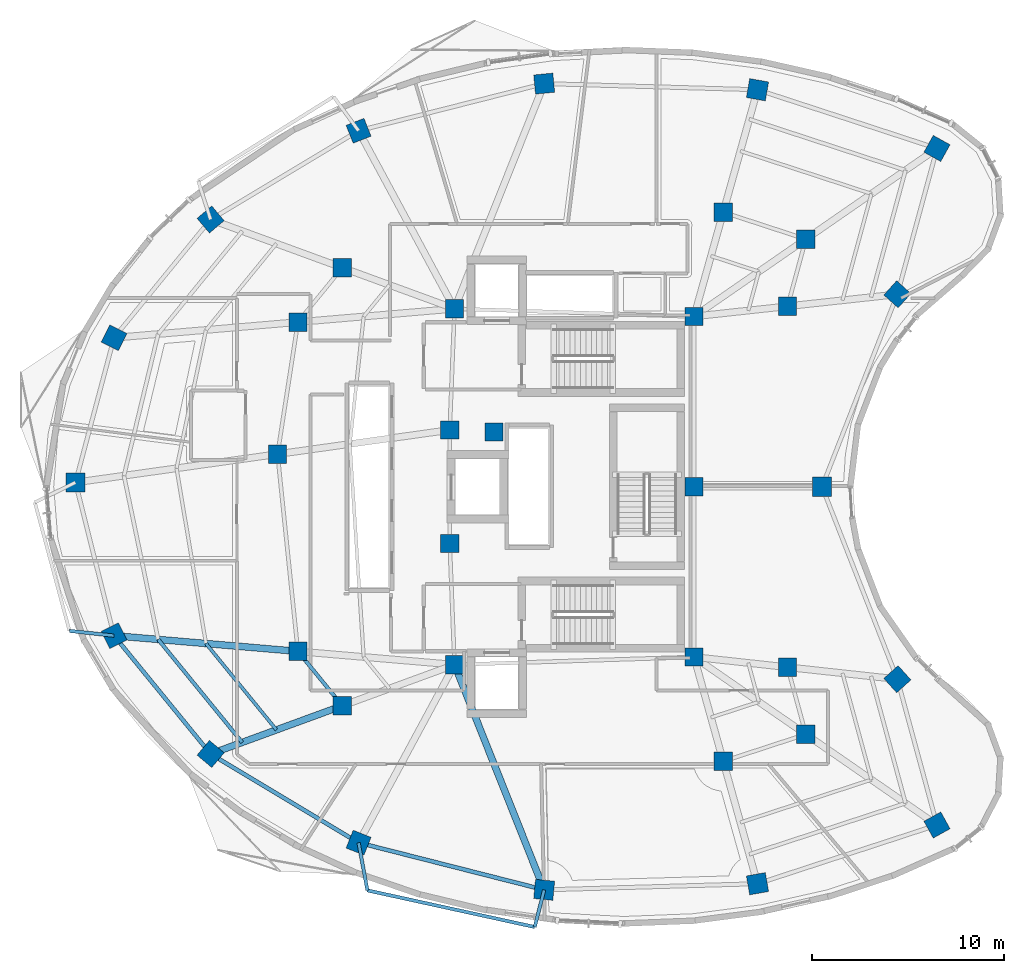
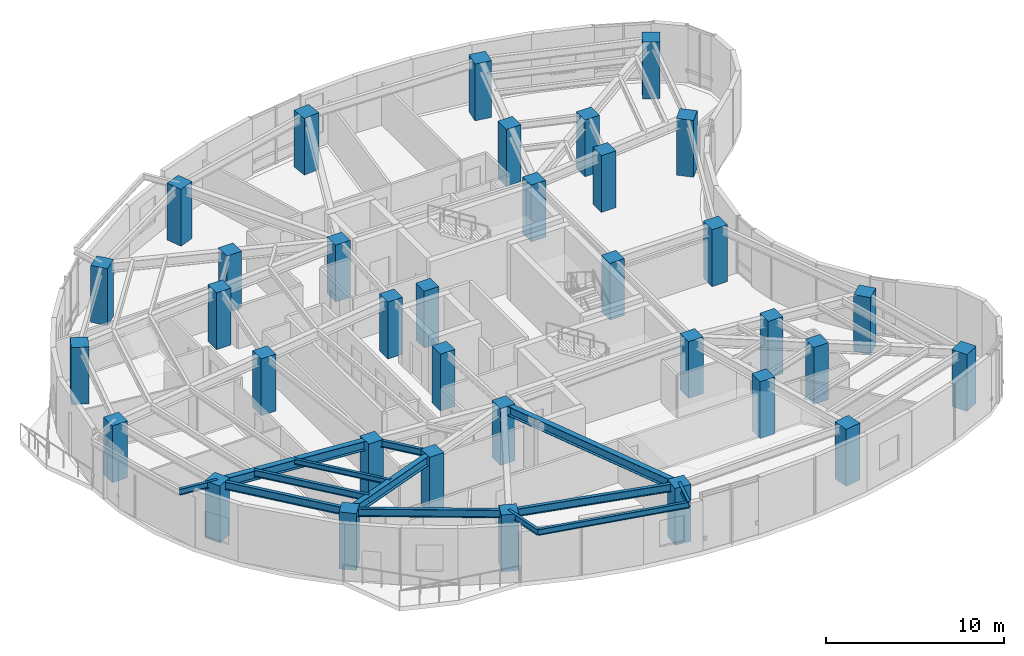
# One storey, part 1 of 15: 35 columns, 13 beams.
"""IFC4 building model written with IfcOpenShell, lengths in metres."""

import ifcopenshell
import ifcopenshell.guid

model = None  # the IFC model being written
_history = None  # IfcOwnerHistory: only IFC2X3 demands one
_inside = {}  # id of a spatial element -> (the spatial element, [elements in it])
_under = {}  # id of a project, library or spatial element -> (it, [spatial elements below it])
_declared = {}  # id of a project -> (the project, [libraries it declares])
_typed = {}  # id of a type object -> (the type object, [elements of that type])
_made_of = {}  # id of a material, layer set ... -> (it, [elements and type objects made of it])


def new_model(schema):
    """Start an empty IFC model of exactly this schema.

    Asked for "IFC4X3", IfcOpenShell would pick the latest addendum, in which some entities
    have other attributes; the version numbers below select the first issue.
    IFC2X3 requires an IfcOwnerHistory on every rooted entity: one is made here for all.
    """
    global model, _history
    if schema == "IFC4X3":
        model = ifcopenshell.file(schema_version=(4, 3, 0, 0))
    else:
        model = ifcopenshell.file(schema=schema)
    _inside.clear()
    _under.clear()
    _declared.clear()
    _typed.clear()
    _made_of.clear()
    _history = None
    if model.schema == "IFC2X3":
        org = make("IfcOrganization", Name="unknown")
        user = make(
            "IfcPersonAndOrganization",
            ThePerson=make("IfcPerson", FamilyName="unknown"),
            TheOrganization=org,
        )
        app = make(
            "IfcApplication",
            ApplicationDeveloper=org,
            Version="unknown",
            ApplicationFullName="unknown",
            ApplicationIdentifier="unknown",
        )
        _history = make(
            "IfcOwnerHistory",
            OwningUser=user,
            OwningApplication=app,
            ChangeAction="ADDED",
            CreationDate=0,
        )
    return model


def make(cls, **values):
    """One entity of the class cls with the attributes given. An attribute that is None is left unset."""
    return model.create_entity(
        cls, **{name: value for name, value in values.items() if value is not None}
    )


def rooted(cls, **values):
    """An entity with a GlobalId (a new one), such as an element, a storey or a relation."""
    return make(cls, GlobalId=ifcopenshell.guid.new(), OwnerHistory=_history, **values)


def si_unit(unit_type, name, prefix=None):
    """IfcSIUnit, for example si_unit("LENGTHUNIT", "METRE", prefix="MILLI")."""
    return make("IfcSIUnit", UnitType=unit_type, Prefix=prefix, Name=name)


def assignment(units):
    """IfcUnitAssignment: the units of a project."""
    return None if units is None else make("IfcUnitAssignment", Units=units)


def point(xyz):
    """IfcCartesianPoint."""
    return None if xyz is None else make("IfcCartesianPoint", Coordinates=xyz)


def direction(xyz):
    """IfcDirection."""
    return None if xyz is None else make("IfcDirection", DirectionRatios=xyz)


def frame(location, z_axis=None, x_axis=None):
    """IfcAxis2Placement3D, a coordinate frame: its origin and axes. An axis left out is left unset."""
    return make(
        "IfcAxis2Placement3D",
        Location=point(location),
        Axis=direction(z_axis),
        RefDirection=direction(x_axis),
    )


def frame_2d(location, x_axis=None):
    """IfcAxis2Placement2D, a coordinate frame in the plane: its origin and x axis."""
    return make(
        "IfcAxis2Placement2D", Location=point(location), RefDirection=direction(x_axis)
    )


def origin():
    """The frame at (0, 0, 0) with its axes left unset."""
    return frame((0.0, 0.0, 0.0))


def origin_2d():
    """The frame at (0, 0) in the plane with its x axis left unset."""
    return frame_2d((0.0, 0.0))


def place(relative_to, where):
    """IfcLocalPlacement: puts the frame where relative to a parent placement (None: the world)."""
    return make(
        "IfcLocalPlacement", PlacementRelTo=relative_to, RelativePlacement=where
    )


def context(
    kind, dimensions, precision=None, world=None, true_north=None, identifier=None
):
    """IfcGeometricRepresentationContext, for example the 3D "Model" context."""
    return make(
        "IfcGeometricRepresentationContext",
        ContextIdentifier=identifier,
        ContextType=kind,
        CoordinateSpaceDimension=dimensions,
        Precision=precision,
        WorldCoordinateSystem=world,
        TrueNorth=true_north,
    )


def subcontext(parent, identifier, kind, view, scale=None):
    """IfcGeometricRepresentationSubContext, for example "Body" below "Model"."""
    return make(
        "IfcGeometricRepresentationSubContext",
        ContextIdentifier=identifier,
        ContextType=kind,
        ParentContext=parent,
        TargetScale=scale,
        TargetView=view,
    )


def project(units=None, contexts=None):
    """IfcProject with its units and contexts."""
    return rooted(
        "IfcProject",
        Name="project",
        RepresentationContexts=contexts,
        UnitsInContext=assignment(units),
    )


def spatial(cls, under=None, at=None, **own):
    """A site, building, storey or space (cls), placed at a placement, below another one or the project."""
    s = rooted(cls, ObjectPlacement=at, **own)
    if under is not None:
        _under.setdefault(under.id(), (under, []))[1].append(s)
    return s


def profile(cls, at=None, kind="AREA", **sizes):
    """A parametric profile (cls). Its sizes go by their IFC names, for example OverallWidth=200.0."""
    return make(cls, ProfileType=kind, Position=at, **sizes)


def rectangle(**sizes):
    """IfcRectangleProfileDef."""
    return profile("IfcRectangleProfileDef", **sizes)


def i_section(**sizes):
    """IfcIShapeProfileDef."""
    return profile("IfcIShapeProfileDef", **sizes)


def extrude(swept, where, along, depth):
    """IfcExtrudedAreaSolid: the profile swept, set in the frame where, extruded along a direction by depth."""
    return make(
        "IfcExtrudedAreaSolid",
        SweptArea=swept,
        Position=where,
        ExtrudedDirection=direction(along),
        Depth=depth,
    )


def shape(context_of_items, identifier, shape_type, items):
    """IfcShapeRepresentation: the items that make up one representation, for example the "Body"."""
    return make(
        "IfcShapeRepresentation",
        ContextOfItems=context_of_items,
        RepresentationIdentifier=identifier,
        RepresentationType=shape_type,
        Items=items,
    )


def material(Name=None, Category=None):
    """IfcMaterial."""
    return make("IfcMaterial", Name=Name, Category=Category)


def material_profile(
    of_material, cross_section, Name=None, Category=None, Priority=None
):
    """IfcMaterialProfile: a cross section and its material."""
    return make(
        "IfcMaterialProfile",
        Name=Name,
        Material=of_material,
        Profile=cross_section,
        Priority=Priority,
        Category=Category,
    )


def profile_set(profiles, Name=None, composite=None):
    """IfcMaterialProfileSet."""
    return make(
        "IfcMaterialProfileSet",
        Name=Name,
        MaterialProfiles=profiles,
        CompositeProfile=composite,
    )


def made_of(thing, what):
    """Note that an element or type object is made of a material, layer set ...; save() writes the relation."""
    if what is not None:
        _made_of.setdefault(what.id(), (what, []))[1].append(thing)
    return thing


def type_object(cls, material=None, **own):
    """A type object (cls), such as IfcWallType, which elements share."""
    return made_of(rooted(cls, **own), material)


def element(
    cls,
    number,
    at=None,
    inside=None,
    cuts=None,
    type_object=None,
    material=None,
    context=None,
    identifier="Body",
    shape_type=None,
    held_by="IfcProductDefinitionShape",
    body=None,
    shapes=None,
    **own,
):
    """One element of the class cls, such as IfcWall. Its Tag is "e" and its number.

    at: its placement. inside: the storey or other place that contains it. cuts: it is an
    opening in that element (IfcRelVoidsElement). A single representation is given by context,
    identifier, shape_type and body (its items); several are given by shapes. held_by: the class
    of the entity that holds the representations. save() writes the other relations.
    """
    e = rooted(cls, Tag="e%d" % number, ObjectPlacement=at, **own)
    if body is not None:
        shapes = [shape(context, identifier, shape_type, body)]
    if shapes is not None:
        e.Representation = make(held_by, Representations=shapes)
    if inside is not None:
        _inside.setdefault(inside.id(), (inside, []))[1].append(e)
    if cuts is not None:
        rooted(
            "IfcRelVoidsElement", RelatingBuildingElement=cuts, RelatedOpeningElement=e
        )
    if type_object is not None:
        _typed.setdefault(type_object.id(), (type_object, []))[1].append(e)
    return made_of(e, material)


def aggregate(whole, parts):
    """IfcRelAggregates: a whole, such as a stair, and the parts it consists of."""
    return rooted("IfcRelAggregates", RelatingObject=whole, RelatedObjects=parts)


def save(model, path):
    """Write the relations noted so far, then the file.

    IfcRelAggregates (storeys below a building ...), IfcRelContainedInSpatialStructure (elements
    in a storey), IfcRelDefinesByType, IfcRelAssociatesMaterial and IfcRelDeclares: one each for
    every whole, place, type object, material and project.
    """
    for whole, parts in _under.values():
        aggregate(whole, parts)
    for where, things in _inside.values():
        rooted(
            "IfcRelContainedInSpatialStructure",
            RelatedElements=things,
            RelatingStructure=where,
        )
    for kind, things in _typed.values():
        rooted("IfcRelDefinesByType", RelatedObjects=things, RelatingType=kind)
    for what, things in _made_of.values():
        rooted("IfcRelAssociatesMaterial", RelatedObjects=things, RelatingMaterial=what)
    for by, libraries in _declared.values():
        rooted("IfcRelDeclares", RelatingContext=by, RelatedDefinitions=libraries)
    model.write(path)


model = new_model("IFC4")

# Units and contexts
model_context = context("Model", 3, precision=1e-05, world=origin(), true_north=direction((0.0, 1.0)))
body_context = subcontext(model_context, "Body", "Model", "MODEL_VIEW")
ifc_project = project(units=[si_unit("LENGTHUNIT", "METRE"), si_unit("AREAUNIT", "SQUARE_METRE"), si_unit("VOLUMEUNIT", "CUBIC_METRE"), si_unit("PLANEANGLEUNIT", "RADIAN"), si_unit("MASSUNIT", "GRAM", prefix="KILO")], contexts=[model_context])

# Site, building, storey
site_placement = place(None, origin())
site = spatial("IfcSite", under=ifc_project, at=site_placement, CompositionType="ELEMENT")
building_placement = place(site_placement, origin())
building = spatial("IfcBuilding", under=site, at=building_placement, Name="Korentha Bioscience Tower", CompositionType="ELEMENT")
storey_placement = place(building_placement, frame((0.0, 0.0, 222.60009765625)))
storey = spatial("IfcBuildingStorey", under=building, at=storey_placement, Name="L51", CompositionType="ELEMENT", Elevation=222.60009765625)

# Columns
ifc_material_1 = material(Name="Concrete C65", Category="concrete")
ifc_material_profile_1 = material_profile(ifc_material_1, rectangle(XDim=0.949951171875, YDim=0.949951171875, at=origin_2d()), Name="Concrete C65")
ifc_profile_set_1 = profile_set([ifc_material_profile_1], Name="Concrete C65 (COL-CP09)")
column_type_1 = type_object("IfcColumnType", Name="Core Pilaster Column RC 950x950", PredefinedType="PILASTER", material=ifc_profile_set_1)
for number, where, z_axis, x_axis, name in (
    (1, (37.550048828125, 35.85009765625, -0.00048828125), (0.0, 0.0, 1.0), (1.0, 0.0, 0.0), "L51 Core Pilaster CP-01"),
    (2, (25.10009765625, 36.25, -0.00048828125), (0.0, 0.0, 1.0), (1.0, 0.0, 0.0), "L51 Core Pilaster CP-02"),
    (3, (24.85009765625, 29.949951171875, -0.00048828125), (0.0, 0.0, 1.0), (1.0, 0.0, 0.0), "L51 Core Pilaster CP-03"),
    (4, (27.14990234375, 29.85009765625, -0.00048828125), (0.0, 0.0, 1.0), (1.0, 0.0, 0.0), "L51 Core Pilaster CP-04"),
    (5, (24.85009765625, 24.050048828125, -0.00048828125), (0.0, 0.0, 1.0), (1.0, 0.0, 0.0), "L51 Core Pilaster CP-05"),
    (6, (25.10009765625, 17.75, -0.00048828125), (0.0, 0.0, 1.0), (1.0, 0.0, 0.0), "L51 Core Pilaster CP-06"),
    (7, (37.550048828125, 18.14990234375, -0.00048828125), (0.0, 0.0, 1.0), (1.0, 0.0, 0.0), "L51 Core Pilaster CP-07"),
    (8, (37.550048828125, 27.0, -0.00048828125), (0.0, 0.0, 1.0), (1.0, 0.0, 0.0), "L51 Core Pilaster CP-08"),
):
    element("IfcColumn", number, at=place(storey_placement, frame(where, z_axis=z_axis, x_axis=x_axis)), inside=storey, type_object=column_type_1, Name=name, PredefinedType="PILASTER", context=body_context, shape_type="SweptSolid", body=[
        extrude(rectangle(XDim=0.949951171875, YDim=0.949951171875, at=origin_2d()), origin(), (0.0, 0.0, 1.0), 3.90087890625),
    ])
ifc_material_profile_2 = material_profile(ifc_material_1, rectangle(XDim=0.949951171875, YDim=0.949951171875, at=origin_2d()), Name="Concrete C65")
ifc_profile_set_2 = profile_set([ifc_material_profile_2], Name="Concrete C65 (COL-MR09)")
column_type_2 = type_object("IfcColumnType", Name="Mid-Ring Lab Column RC 950x950", PredefinedType="COLUMN", material=ifc_profile_set_2)
for number, where, z_axis, x_axis, name in (
    (9, (43.357666015625, 39.8662109375, -0.00048828125), (0.0, 0.0, 1.0), (1.0, 0.0, 0.0), "L51 Mid-Ring Column 01"),
    (10, (39.066650390625, 41.269775390625, -0.00048828125), (0.0, 0.0, 1.0), (1.0, 0.0, 0.0), "L51 Mid-Ring Column 02"),
    (11, (19.268310546875, 38.3837890625, -0.00048828125), (0.0, 0.0, 1.0), (1.0, 0.0, 0.0), "L51 Mid-Ring Column 05"),
    (12, (16.96044921875, 35.555908203125, -0.00048828125), (0.0, 0.0, 1.0), (1.0, 0.0, 0.0), "L51 Mid-Ring Column 06"),
    (13, (15.903076171875, 28.69482421875, -0.00048828125), (0.0, 0.0, 1.0), (1.0, 0.0, 0.0), "L51 Mid-Ring Column 07"),
    (14, (16.96044921875, 18.444091796875, -0.00048828125), (0.0, 0.0, 1.0), (1.0, 0.0, 0.0), "L51 Mid-Ring Column 08"),
    (15, (19.268310546875, 15.6162109375, -0.00048828125), (0.0, 0.0, 1.0), (1.0, 0.0, 0.0), "L51 Mid-Ring Column 09"),
    (16, (39.066650390625, 12.730224609375, -0.00048828125), (0.0, 0.0, 1.0), (1.0, 0.0, 0.0), "L51 Mid-Ring Column 12"),
    (17, (43.357666015625, 14.1337890625, -0.00048828125), (0.0, 0.0, 1.0), (1.0, 0.0, 0.0), "L51 Mid-Ring Column 13"),
    (18, (42.41064453125, 17.620361328125, -0.00048828125), (0.0, 0.0, 1.0), (1.0, 0.0, 0.0), "L51 Mid-Ring Column 14"),
    (19, (42.41064453125, 36.379638671875, -0.00048828125), (0.0, 0.0, 1.0), (1.0, 0.0, 0.0), "L51 Mid-Ring Column 16"),
):
    element("IfcColumn", number, at=place(storey_placement, frame(where, z_axis=z_axis, x_axis=x_axis)), inside=storey, type_object=column_type_2, Name=name, PredefinedType="COLUMN", context=body_context, shape_type="SweptSolid", body=[
        extrude(rectangle(XDim=0.949951171875, YDim=0.949951171875, at=origin_2d()), origin(), (0.0, 0.0, 1.0), 3.90087890625),
    ])
ifc_material_profile_3 = material_profile(ifc_material_1, rectangle(XDim=1.0, YDim=1.0, at=origin_2d()), Name="Concrete C65")
ifc_profile_set_3 = profile_set([ifc_material_profile_3], Name="Concrete C65 (COL-P10)")
column_type_3 = type_object("IfcColumnType", Name="Perimeter Column RC 1000x1000", PredefinedType="COLUMN", material=ifc_profile_set_3)
for number, where, z_axis, x_axis, name in (
    (20, (50.175537109375, 44.580810546875, -0.00048828125), (0.0, 0.0, 1.0), (-0.874535078577, 0.484962262797, 0.0), "L51 Perimeter Column 01"),
    (21, (40.846923828125, 47.632080078125, -0.00048828125), (0.0, 0.0, 1.0), (-0.984868307662, 0.173304404339, 0.0), "L51 Perimeter Column 02"),
    (22, (29.75927734375, 47.951171875, -0.00048828125), (0.0, 0.0, 1.0), (0.995462868748, 0.095150811579, 0.0), "L51 Perimeter Column 03"),
    (23, (20.11328125, 45.5, -0.00048828125), (0.0, 0.0, 1.0), (0.930225540858, 0.366988341962, 0.0), "L51 Perimeter Column 04"),
    (24, (12.422607421875, 40.888671875, -0.00048828125), (0.0, 0.0, 1.0), (0.764246456939, 0.644924300253, 0.0), "L51 Perimeter Column 05"),
    (25, (7.4052734375, 34.741455078125, -0.00048828125), (0.0, 0.0, 1.0), (0.453057191132, 0.891481453292, 0.0), "L51 Perimeter Column 06"),
    (26, (5.39990234375, 27.2216796875, -0.00048828125), (0.0, 0.0, 1.0), (0.0, 1.0, 0.0), "L51 Perimeter Column 07"),
    (27, (7.4052734375, 19.258544921875, -0.00048828125), (0.0, 0.0, 1.0), (-0.453057191132, 0.891481453292, 0.0), "L51 Perimeter Column 08"),
    (28, (12.422607421875, 13.111328125, -0.00048828125), (0.0, 0.0, 1.0), (-0.764246456939, 0.644924300253, 0.0), "L51 Perimeter Column 09"),
    (29, (20.11328125, 8.5, -0.00048828125), (0.0, 0.0, 1.0), (-0.930225540858, 0.366988341962, 0.0), "L51 Perimeter Column 10"),
    (30, (29.75927734375, 6.048828125, -0.00048828125), (0.0, 0.0, 1.0), (-0.995462868748, 0.095150811579, 0.0), "L51 Perimeter Column 11"),
    (31, (40.846923828125, 6.367919921875, -0.00048828125), (0.0, 0.0, 1.0), (0.984868307662, 0.173304404339, 0.0), "L51 Perimeter Column 12"),
    (32, (50.175537109375, 9.419189453125, -0.00048828125), (0.0, 0.0, 1.0), (0.874535078577, 0.484962262797, 0.0), "L51 Perimeter Column 13"),
    (33, (48.116455078125, 16.998779296875, -0.00048828125), (0.0, 0.0, 1.0), (-0.669130606359, 0.743144825477, 0.0), "L51 Perimeter Column 14"),
    (34, (44.201904296875, 27.0, -0.00048828125), (0.0, 0.0, 1.0), (0.0, 1.0, 0.0), "L51 Perimeter Column 15"),
    (35, (48.116455078125, 37.001220703125, -0.00048828125), (0.0, 0.0, 1.0), (0.669130606359, 0.743144825477, 0.0), "L51 Perimeter Column 16"),
):
    element("IfcColumn", number, at=place(storey_placement, frame(where, z_axis=z_axis, x_axis=x_axis)), inside=storey, type_object=column_type_3, Name=name, PredefinedType="COLUMN", context=body_context, shape_type="SweptSolid", body=[
        extrude(rectangle(XDim=1.0, YDim=1.0, at=origin_2d()), origin(), (0.0, 0.0, 1.0), 3.90087890625),
    ])

# Beams
ifc_material_2 = material(Name="Steel S355", Category="steel")
ifc_material_profile_4 = material_profile(ifc_material_2, i_section(OverallWidth=0.18994140625, OverallDepth=0.45703125, WebThickness=0.009033203125, FlangeThickness=0.014404296875, at=origin_2d()), Name="Steel S355")
ifc_profile_set_4 = profile_set([ifc_material_profile_4], Name="Steel S355 (MB-460)")
beam_type_1 = type_object("IfcBeamType", Name="Mid-Ring Tie Girder W460x74", PredefinedType="BEAM", material=ifc_profile_set_4)
beam_1_placement = place(storey_placement, frame((16.96044921875, 18.444091796875, 3.67138671875), z_axis=(0.632275728894, -0.774743443116, 0.0), x_axis=(0.774743443116, 0.632275728894, 0.0)))
element("IfcBeam", 36, at=beam_1_placement, inside=storey, type_object=beam_type_1, Name="L51 Mid-Ring Tie Girder 08", PredefinedType="BEAM", context=body_context, shape_type="SweptSolid", body=[
    extrude(i_section(OverallWidth=0.18994140625, OverallDepth=0.45703125, WebThickness=0.009033203125, FlangeThickness=0.014404296875, at=origin_2d()), origin(), (0.0, 0.0, 1.0), 3.650146484375),
])
ifc_material_profile_5 = material_profile(ifc_material_2, i_section(OverallWidth=0.208984375, OverallDepth=0.532958984375, WebThickness=0.01025390625, FlangeThickness=0.015625, at=origin_2d()), Name="Steel S355")
ifc_profile_set_5 = profile_set([ifc_material_profile_5], Name="Steel S355 (SB-530)")
beam_type_2 = type_object("IfcBeamType", Name="Perimeter Ring Spandrel Girder W530x92", PredefinedType="SPANDREL", material=ifc_profile_set_5)
beam_2_placement = place(storey_placement, frame((7.4052734375, 19.258544921875, 3.63330078125), z_axis=(0.632315820697, -0.774710722074, 0.0), x_axis=(0.774710722074, 0.632315820697, 0.0)))
element("IfcBeam", 37, at=beam_2_placement, inside=storey, type_object=beam_type_2, Name="L51 Perimeter Spandrel Girder 08", PredefinedType="SPANDREL", context=body_context, shape_type="SweptSolid", body=[
    extrude(i_section(OverallWidth=0.208984375, OverallDepth=0.532958984375, WebThickness=0.01025390625, FlangeThickness=0.015625, at=origin_2d()), origin(), (0.0, 0.0, 1.0), 7.934814453125),
])
beam_3_placement = place(storey_placement, frame((12.422607421875, 13.111328125, 3.63330078125), z_axis=(0.857644232791, -0.514243492872, 0.0), x_axis=(0.514243492872, 0.857644232791, 0.0)))
element("IfcBeam", 38, at=beam_3_placement, inside=storey, type_object=beam_type_2, Name="L51 Perimeter Spandrel Girder 09", PredefinedType="SPANDREL", context=body_context, shape_type="SweptSolid", body=[
    extrude(i_section(OverallWidth=0.208984375, OverallDepth=0.532958984375, WebThickness=0.01025390625, FlangeThickness=0.015625, at=origin_2d()), origin(), (0.0, 0.0, 1.0), 8.96728515625),
])
beam_4_placement = place(storey_placement, frame((20.11328125, 8.5, 3.63330078125), z_axis=(0.969197317616, -0.246285524395, 0.0), x_axis=(0.246285524395, 0.969197317616, 0.0)))
element("IfcBeam", 39, at=beam_4_placement, inside=storey, type_object=beam_type_2, Name="L51 Perimeter Spandrel Girder 10", PredefinedType="SPANDREL", context=body_context, shape_type="SweptSolid", body=[
    extrude(i_section(OverallWidth=0.208984375, OverallDepth=0.532958984375, WebThickness=0.01025390625, FlangeThickness=0.015625, at=origin_2d()), origin(), (0.0, 0.0, 1.0), 9.95263671875),
])
ifc_material_profile_6 = material_profile(ifc_material_2, i_section(OverallWidth=0.18994140625, OverallDepth=0.45703125, WebThickness=0.009033203125, FlangeThickness=0.014404296875, at=origin_2d()), Name="Steel S355")
ifc_profile_set_6 = profile_set([ifc_material_profile_6], Name="Steel S355 (RB-460)")
beam_type_3 = type_object("IfcBeamType", Name="Radial Laboratory Beam W460x74", PredefinedType="BEAM", material=ifc_profile_set_6)
beam_5_placement = place(storey_placement, frame((9.698486328125, 19.06298828125, 3.67138671875), z_axis=(0.632321075077, -0.77470643344, 0.0), x_axis=(0.77470643344, 0.632321075077, 0.0)))
element("IfcBeam", 40, at=beam_5_placement, inside=storey, type_object=beam_type_3, Name="L51 Secondary Floor Beam JSTO-08", PredefinedType="BEAM", context=body_context, shape_type="SweptSolid", body=[
    extrude(i_section(OverallWidth=0.18994140625, OverallDepth=0.45703125, WebThickness=0.009033203125, FlangeThickness=0.014404296875, at=origin_2d()), origin(), (0.0, 0.0, 1.0), 6.906494140625),
])
ifc_material_profile_7 = material_profile(ifc_material_2, i_section(OverallWidth=0.35009765625, OverallDepth=0.64990234375, WebThickness=0.01611328125, FlangeThickness=0.02490234375, at=origin_2d()), Name="Steel S355")
ifc_profile_set_7 = profile_set([ifc_material_profile_7], Name="Steel S355 (RB-650)")
beam_type_4 = type_object("IfcBeamType", Name="Radial Laboratory Girder CVS 650x208", PredefinedType="BEAM", material=ifc_profile_set_7)
beam_6_placement = place(storey_placement, frame((16.96044921875, 18.444091796875, 3.574951171875), z_axis=(-0.996387014591, 0.084928894698, 0.0), x_axis=(-0.084928894698, -0.996387014591, 0.0)))
element("IfcBeam", 41, at=beam_6_placement, inside=storey, type_object=beam_type_4, Name="L51 Outer Radial Girder 08", PredefinedType="BEAM", context=body_context, shape_type="SweptSolid", body=[
    extrude(i_section(OverallWidth=0.35009765625, OverallDepth=0.64990234375, WebThickness=0.01611328125, FlangeThickness=0.02490234375, at=origin_2d()), origin(), (0.0, 0.0, 1.0), 9.58984375),
])
beam_7_placement = place(storey_placement, frame((19.268310546875, 15.6162109375, 3.574951171875), z_axis=(-0.939107036581, -0.343624757322, 0.0), x_axis=(0.343624757322, -0.939107036581, 0.0)))
element("IfcBeam", 42, at=beam_7_placement, inside=storey, type_object=beam_type_4, Name="L51 Outer Radial Girder 09", PredefinedType="BEAM", context=body_context, shape_type="SweptSolid", body=[
    extrude(i_section(OverallWidth=0.35009765625, OverallDepth=0.64990234375, WebThickness=0.01611328125, FlangeThickness=0.02490234375, at=origin_2d()), origin(), (0.0, 0.0, 1.0), 7.28955078125),
])
beam_8_placement = place(storey_placement, frame((25.10009765625, 17.75, 3.574951171875), z_axis=(0.369933042289, -0.929058418089, 0.0), x_axis=(0.929058418089, 0.369933042289, 0.0)))
element("IfcBeam", 43, at=beam_8_placement, inside=storey, type_object=beam_type_4, Name="L51 Radial Girder 11", PredefinedType="BEAM", context=body_context, shape_type="SweptSolid", body=[
    extrude(i_section(OverallWidth=0.35009765625, OverallDepth=0.64990234375, WebThickness=0.01611328125, FlangeThickness=0.02490234375, at=origin_2d()), origin(), (0.0, 0.0, 1.0), 12.5947265625),
])
ifc_material_profile_8 = material_profile(ifc_material_2, i_section(OverallWidth=0.1708984375, OverallDepth=0.35498046875, WebThickness=0.007080078125, FlangeThickness=0.01171875, at=origin_2d()), Name="Steel S355")
ifc_profile_set_8 = profile_set([ifc_material_profile_8], Name="Steel S355 (JB-360)")
beam_type_5 = type_object("IfcBeamType", Name="Secondary Laboratory Joist W360x51", PredefinedType="JOIST", material=ifc_profile_set_8)
beam_9_placement = place(storey_placement, frame((12.182861328125, 18.851318359375, 3.722412109375), z_axis=(0.632303189088, -0.774721031771, 0.0), x_axis=(0.774721031771, 0.632303189088, 0.0)))
element("IfcBeam", 44, at=beam_9_placement, inside=storey, type_object=beam_type_5, Name="L51 Secondary Floor Beam JST-08", PredefinedType="JOIST", context=body_context, shape_type="SweptSolid", body=[
    extrude(i_section(OverallWidth=0.1708984375, OverallDepth=0.35498046875, WebThickness=0.007080078125, FlangeThickness=0.01171875, at=origin_2d()), origin(), (0.0, 0.0, 1.0), 5.79248046875),
])
ifc_material_profile_9 = material_profile(ifc_material_2, i_section(OverallWidth=0.177978515625, OverallDepth=0.406982421875, WebThickness=0.0078125, FlangeThickness=0.0126953125, at=origin_2d()), Name="Steel S355")
ifc_profile_set_9 = profile_set([ifc_material_profile_9], Name="Steel S355 (CB-410)")
beam_type_6 = type_object("IfcBeamType", Name="Sun-Ledge Cantilever Beam W410x60", PredefinedType="BEAM", material=ifc_profile_set_9)
beam_10_placement = place(storey_placement, frame((7.4052734375, 19.258544921875, 3.698486328125), z_axis=(-0.994271032169, 0.106888327657, 0.0), x_axis=(-0.106888327657, -0.994271032169, 0.0)))
element("IfcBeam", 45, at=beam_10_placement, inside=storey, type_object=beam_type_6, Name="L51 Balcony Cantilever Bracket B-L52-02", PredefinedType="BEAM", context=body_context, shape_type="SweptSolid", body=[
    extrude(i_section(OverallWidth=0.177978515625, OverallDepth=0.406982421875, WebThickness=0.0078125, FlangeThickness=0.0126953125, at=origin_2d()), origin(), (0.0, 0.0, 1.0), 2.329833984375),
])
beam_11_placement = place(storey_placement, frame((20.11328125, 8.5, 3.698486328125), z_axis=(0.182446425678, -0.983215796129, 0.0), x_axis=(0.983215796129, 0.182446425678, 0.0)))
element("IfcBeam", 46, at=beam_11_placement, inside=storey, type_object=beam_type_6, Name="L51 Balcony Cantilever Bracket A-L52-03", PredefinedType="BEAM", context=body_context, shape_type="SweptSolid", body=[
    extrude(i_section(OverallWidth=0.177978515625, OverallDepth=0.406982421875, WebThickness=0.0078125, FlangeThickness=0.0126953125, at=origin_2d()), origin(), (0.0, 0.0, 1.0), 2.52099609375),
])
beam_12_placement = place(storey_placement, frame((29.75927734375, 6.048828125, 3.698486328125), z_axis=(-0.246080750439, -0.969249330288, 0.0), x_axis=(0.969249330288, -0.246080750439, 0.0)))
element("IfcBeam", 47, at=beam_12_placement, inside=storey, type_object=beam_type_6, Name="L51 Balcony Cantilever Bracket B-L52-03", PredefinedType="BEAM", context=body_context, shape_type="SweptSolid", body=[
    extrude(i_section(OverallWidth=0.177978515625, OverallDepth=0.406982421875, WebThickness=0.0078125, FlangeThickness=0.0126953125, at=origin_2d()), origin(), (0.0, 0.0, 1.0), 1.9921875),
])
beam_13_placement = place(storey_placement, frame((20.5732421875, 6.021240234375, 3.698486328125), z_axis=(0.976873887272, -0.213816295838, 0.0), x_axis=(0.213816295838, 0.976873887272, 0.0)))
element("IfcBeam", 48, at=beam_13_placement, inside=storey, type_object=beam_type_6, Name="L51 Balcony Edge Trimmer Beam L52-03", PredefinedType="BEAM", context=body_context, shape_type="SweptSolid", body=[
    extrude(i_section(OverallWidth=0.177978515625, OverallDepth=0.406982421875, WebThickness=0.0078125, FlangeThickness=0.0126953125, at=origin_2d()), origin(), (0.0, 0.0, 1.0), 8.901611328125),
])

save(model, "model.ifc")
